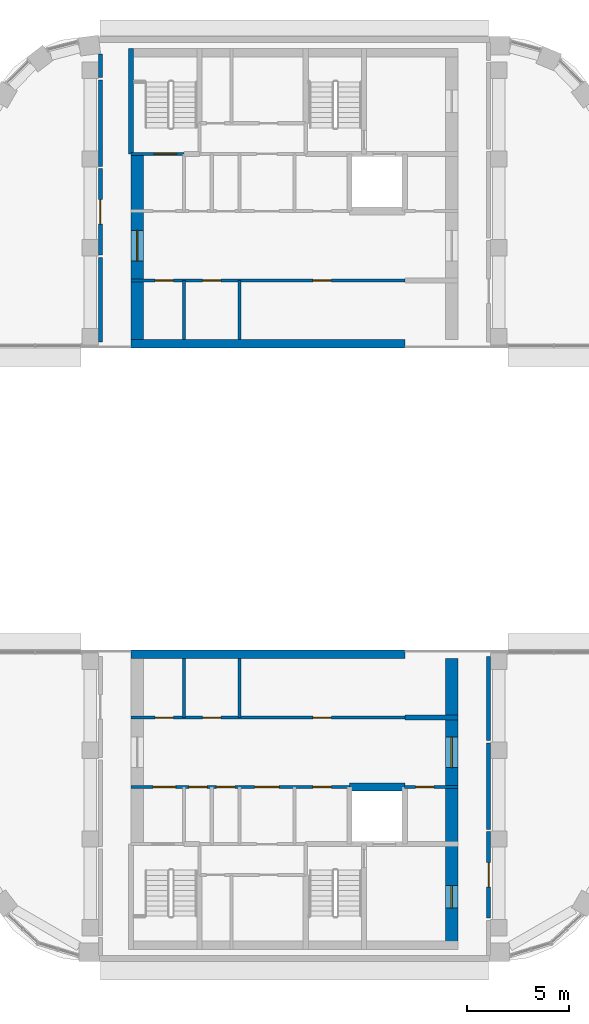
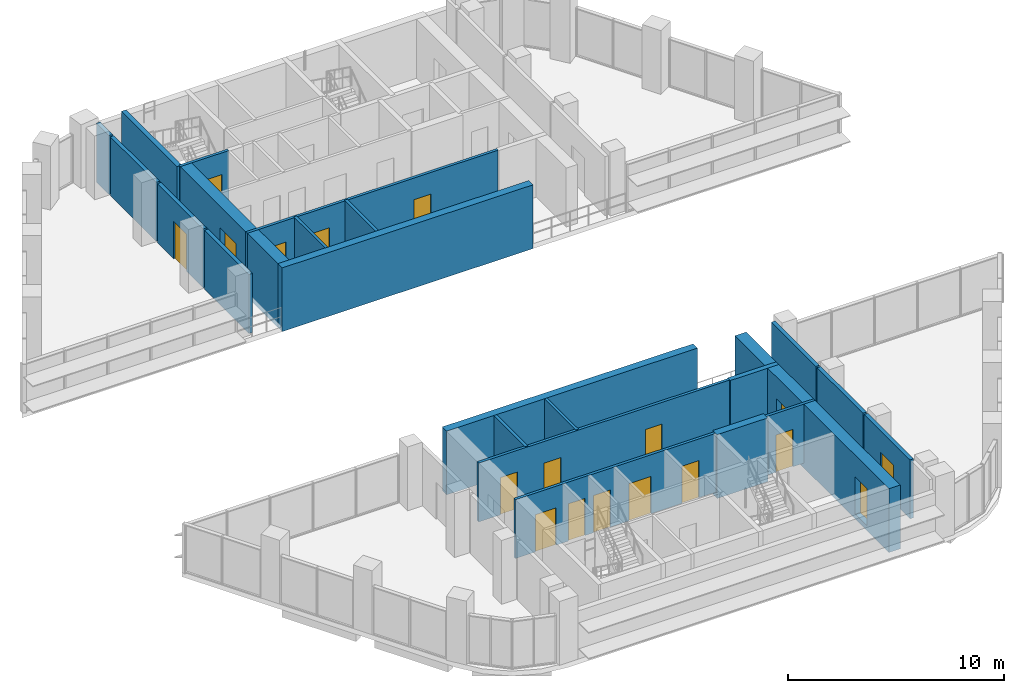
# One storey, part 10 of 15: 24 walls, 18 doors, 18 openings.
"""IFC4 building model written with IfcOpenShell, lengths in metres."""

from ifc_helpers import new_model, si_unit, direction, frame, frame_2d, origin, place, context, subcontext, project, spatial, rectangle, extrude, material, layer, layer_set, type_object, element, fill, save


model = new_model("IFC4")

# Units and contexts
model_context = context("Model", 3, precision=1e-05, world=origin(), true_north=direction((0.0, 1.0)))
body_context = subcontext(model_context, "Body", "Model", "MODEL_VIEW")
ifc_project = project(units=[si_unit("LENGTHUNIT", "METRE"), si_unit("AREAUNIT", "SQUARE_METRE"), si_unit("VOLUMEUNIT", "CUBIC_METRE"), si_unit("PLANEANGLEUNIT", "RADIAN"), si_unit("MASSUNIT", "GRAM", prefix="KILO")], contexts=[model_context])

# Site, building, storey
site_placement = place(None, origin())
site = spatial("IfcSite", under=ifc_project, at=site_placement, CompositionType="ELEMENT")
building_placement = place(site_placement, origin())
building = spatial("IfcBuilding", under=site, at=building_placement, Name="Nakaniwa Court", CompositionType="ELEMENT")
storey_placement = place(building_placement, frame((0.0, 0.0, 283.199951171875)))
storey = spatial("IfcBuildingStorey", under=building, at=storey_placement, Name="C04", CompositionType="ELEMENT", Elevation=283.199951171875)

# Wall, opening, door
ifc_material_1 = material(Name="Acoustic double stud partition")
ifc_layer_1 = layer(ifc_material_1, 0.199951171875)
ifc_layer_set_1 = layer_set([ifc_layer_1], Name="Acoustic double stud partition")
wall_type_1 = type_object("IfcWallType", Name="Acoustic double stud partition 200", PredefinedType="PARTITIONING", material=ifc_layer_set_1)
wall_1_placement = place(storey_placement, frame((89.5, 63.712890625, 0.0), z_axis=(0.0, 0.0, 1.0), x_axis=(0.0, -1.0, 0.0)))
wall_1 = element("IfcWall", 1, at=wall_1_placement, inside=storey, type_object=wall_type_1, Name="Partition PW-054", PredefinedType="PARTITIONING", context=body_context, shape_type="SweptSolid", body=[
    extrude(rectangle(XDim=4.23583984375, YDim=0.199951171875, at=frame_2d((2.117919921875, 0.0))), origin(), (0.0, 0.0, 1.0), 3.324951171875),
])
opening_1_placement = place(wall_1_placement, frame((1.51806640625, 0.0, 0.0)))
opening_1 = element("IfcOpeningElement", 2, at=opening_1_placement, cuts=wall_1, Name="Opening D-30-01", PredefinedType="OPENING", context=body_context, shape_type="SweptSolid", body=[
    extrude(rectangle(XDim=1.199951171875, YDim=2.10009765625, at=frame_2d((0.60009765625, 1.050048828125))), frame((0.0, 0.10986328125, 0.0), z_axis=(0.0, -1.0, 0.0), x_axis=(1.0, 0.0, 0.0)), (0.0, 0.0, 1.0), 0.219970703125),
])
ifc_material_2 = material(Name="Solid core timber door set, black veneer", Category="wood")
door_type_1 = type_object("IfcDoorType", Name="Internal door 1200", OperationType="NOTDEFINED", PredefinedType="DOOR", material=ifc_material_2)
door_1_placement = place(opening_1_placement, origin())
door_1 = element("IfcDoor", 3, at=door_1_placement, inside=storey, type_object=door_type_1, Name="Door D-30-01 C04-029", OperationType="SINGLE_SWING_RIGHT", OverallHeight=2.10009765625, OverallWidth=1.199951171875, PredefinedType="DOOR", context=body_context, shape_type="SweptSolid", body=[
    extrude(rectangle(XDim=1.199951171875, YDim=2.10009765625, at=frame_2d((0.60009765625, 1.050048828125))), frame((0.0, 0.02490234375, 0.0), z_axis=(0.0, -1.0, 0.0), x_axis=(1.0, 0.0, 0.0)), (0.0, 0.0, 1.0), 0.050048828125),
])
fill(opening_1, door_1)

# Walls
wall_2_placement = place(storey_placement, frame((89.5, 63.826904296875, 0.0), z_axis=(0.0, 0.0, 1.0), x_axis=(0.0, 1.0, 0.0)))
element("IfcWall", 4, at=wall_2_placement, inside=storey, type_object=wall_type_1, Name="Partition PW-055", PredefinedType="PARTITIONING", context=body_context, shape_type="SweptSolid", body=[
    extrude(rectangle(XDim=4.236083984375, YDim=0.199951171875, at=frame_2d((2.1181640625, 0.0))), origin(), (0.0, 0.0, 1.0), 3.324951171875),
])
for number, where, z_axis, x_axis, name in (
    (5, (89.5, 68.177001953125, 0.0), (0.0, 0.0, 1.0), (0.0, 1.0, 0.0), "Partition PW-056"),
    (6, (70.5, 87.699951171875, 0.0), (0.0, 0.0, 1.0), (0.0, 1.0, 0.0), "Partition PW-065"),
):
    element("IfcWall", number, at=place(storey_placement, frame(where, z_axis=z_axis, x_axis=x_axis)), inside=storey, type_object=wall_type_1, Name=name, PredefinedType="PARTITIONING", context=body_context, shape_type="SweptSolid", body=[
        extrude(rectangle(XDim=4.123046875, YDim=0.199951171875, at=frame_2d((2.0615234375, 0.0))), origin(), (0.0, 0.0, 1.0), 3.324951171875),
    ])

# Wall, opening, door
wall_3_placement = place(storey_placement, frame((70.5, 91.93701171875, 0.0), z_axis=(0.0, 0.0, 1.0), x_axis=(0.0, 1.0, 0.0)))
wall_3 = element("IfcWall", 7, at=wall_3_placement, inside=storey, type_object=wall_type_1, Name="Partition PW-066", PredefinedType="PARTITIONING", context=body_context, shape_type="SweptSolid", body=[
    extrude(rectangle(XDim=4.236083984375, YDim=0.199951171875, at=frame_2d((2.1181640625, 0.0))), origin(), (0.0, 0.0, 1.0), 3.324951171875),
])
opening_2_placement = place(wall_3_placement, frame((1.51806640625, 0.0, 0.0)))
opening_2 = element("IfcOpeningElement", 8, at=opening_2_placement, cuts=wall_3, Name="Opening D-30-04", PredefinedType="OPENING", context=body_context, shape_type="SweptSolid", body=[
    extrude(rectangle(XDim=1.199951171875, YDim=2.10009765625, at=frame_2d((0.60009765625, 1.050048828125))), frame((0.0, 0.10986328125, 0.0), z_axis=(0.0, -1.0, 0.0), x_axis=(1.0, 0.0, 0.0)), (0.0, 0.0, 1.0), 0.219970703125),
])
door_2_placement = place(opening_2_placement, origin())
door_2 = element("IfcDoor", 9, at=door_2_placement, inside=storey, type_object=door_type_1, Name="Door D-30-04 C04-032", OperationType="SINGLE_SWING_LEFT", OverallHeight=2.10009765625, OverallWidth=1.199951171875, PredefinedType="DOOR", context=body_context, shape_type="SweptSolid", body=[
    extrude(rectangle(XDim=1.199951171875, YDim=2.10009765625, at=frame_2d((0.60009765625, 1.050048828125))), frame((0.0, 0.02490234375, 0.0), z_axis=(0.0, -1.0, 0.0), x_axis=(1.0, 0.0, 0.0)), (0.0, 0.0, 1.0), 0.050048828125),
])
fill(opening_2, door_2)

# Walls
wall_4_placement = place(storey_placement, frame((70.5, 96.287109375, 0.0), z_axis=(0.0, 0.0, 1.0), x_axis=(0.0, 1.0, 0.0)))
element("IfcWall", 10, at=wall_4_placement, inside=storey, type_object=wall_type_1, Name="Partition PW-067", PredefinedType="PARTITIONING", context=body_context, shape_type="SweptSolid", body=[
    extrude(rectangle(XDim=4.23583984375, YDim=0.199951171875, at=frame_2d((2.117919921875, 0.0))), origin(), (0.0, 0.0, 1.0), 3.324951171875),
])
wall_5_placement = place(storey_placement, frame((70.5, 100.636962890625, 0.0), z_axis=(0.0, 0.0, 1.0), x_axis=(0.0, 1.0, 0.0)))
element("IfcWall", 11, at=wall_5_placement, inside=storey, type_object=wall_type_1, Name="Partition PW-068", PredefinedType="PARTITIONING", context=body_context, shape_type="SweptSolid", body=[
    extrude(rectangle(XDim=1.163818359375, YDim=0.199951171875, at=frame_2d((0.58203125, 0.0))), origin(), (0.0, 0.0, 1.0), 3.324951171875),
])
ifc_material_3 = material(Name="Blockwork partition", Category="masonry")
ifc_layer_2 = layer(ifc_material_3, 0.14990234375)
ifc_layer_set_2 = layer_set([ifc_layer_2], Name="Blockwork partition")
wall_type_2 = type_object("IfcWallType", Name="Blockwork partition 150", PredefinedType="PARTITIONING", material=ifc_layer_set_2)
wall_6_placement = place(storey_placement, frame((74.60009765625, 87.800048828125, 0.0), z_axis=(0.0, 0.0, 1.0), x_axis=(0.0, 1.0, 0.0)))
element("IfcWall", 12, at=wall_6_placement, inside=storey, type_object=wall_type_2, Name="Partition PW-001", PredefinedType="PARTITIONING", context=body_context, shape_type="SweptSolid", body=[
    extrude(rectangle(XDim=2.89990234375, YDim=0.14990234375, at=frame_2d((1.449951171875, 0.0))), origin(), (0.0, 0.0, 1.0), 3.324951171875),
])

# Wall, openings, doors
wall_7_placement = place(storey_placement, frame((85.39990234375, 90.699951171875, 0.0), z_axis=(0.0, 0.0, 1.0), x_axis=(-1.0, 0.0, 0.0)))
wall_7 = element("IfcWall", 13, at=wall_7_placement, inside=storey, type_object=wall_type_2, Name="Partition PW-003", PredefinedType="PARTITIONING", context=body_context, shape_type="SweptSolid", body=[
    extrude(rectangle(XDim=13.39990234375, YDim=0.14990234375, at=frame_2d((6.699951171875, 0.0))), origin(), (0.0, 0.0, 1.0), 3.324951171875),
])
opening_3_placement = place(wall_7_placement, frame((11.324951171875, 0.0, 0.0)))
opening_3 = element("IfcOpeningElement", 14, at=opening_3_placement, cuts=wall_7, Name="Opening D-05-01", PredefinedType="OPENING", context=body_context, shape_type="SweptSolid", body=[
    extrude(rectangle(XDim=0.89990234375, YDim=2.10009765625, at=frame_2d((0.449951171875, 1.050048828125))), frame((0.0, 0.0849609375, 0.0), z_axis=(0.0, -1.0, 0.0), x_axis=(1.0, 0.0, 0.0)), (0.0, 0.0, 1.0), 0.169921875),
])
opening_4_placement = place(wall_7_placement, frame((9.0, 0.0, 0.0)))
opening_4 = element("IfcOpeningElement", 15, at=opening_4_placement, cuts=wall_7, Name="Opening D-05-02", PredefinedType="OPENING", context=body_context, shape_type="SweptSolid", body=[
    extrude(rectangle(XDim=0.89990234375, YDim=2.10009765625, at=frame_2d((0.449951171875, 1.050048828125))), frame((0.0, 0.0849609375, 0.0), z_axis=(0.0, -1.0, 0.0), x_axis=(1.0, 0.0, 0.0)), (0.0, 0.0, 1.0), 0.169921875),
])
opening_5_placement = place(wall_7_placement, frame((3.60009765625, 0.0, 0.0)))
opening_5 = element("IfcOpeningElement", 16, at=opening_5_placement, cuts=wall_7, Name="Opening D-05-03", PredefinedType="OPENING", context=body_context, shape_type="SweptSolid", body=[
    extrude(rectangle(XDim=0.89990234375, YDim=2.10009765625, at=frame_2d((0.449951171875, 1.050048828125))), frame((0.0, 0.0849609375, 0.0), z_axis=(0.0, -1.0, 0.0), x_axis=(1.0, 0.0, 0.0)), (0.0, 0.0, 1.0), 0.169921875),
])
ifc_material_4 = material(Name="Fire rated steel door set", Category="steel")
door_type_2 = type_object("IfcDoorType", Name="Service room door 900", OperationType="NOTDEFINED", PredefinedType="DOOR", material=ifc_material_4)
door_3_placement = place(opening_3_placement, origin())
door_3 = element("IfcDoor", 17, at=door_3_placement, inside=storey, type_object=door_type_2, Name="Door D-05-01 C04-001", OperationType="SINGLE_SWING_RIGHT", OverallHeight=2.10009765625, OverallWidth=0.89990234375, PredefinedType="DOOR", context=body_context, shape_type="SweptSolid", body=[
    extrude(rectangle(XDim=0.89990234375, YDim=2.10009765625, at=frame_2d((0.449951171875, 1.050048828125))), frame((0.0, 0.02490234375, 0.0), z_axis=(0.0, -1.0, 0.0), x_axis=(1.0, 0.0, 0.0)), (0.0, 0.0, 1.0), 0.050048828125),
])
fill(opening_3, door_3)
door_4_placement = place(opening_4_placement, origin())
door_4 = element("IfcDoor", 18, at=door_4_placement, inside=storey, type_object=door_type_2, Name="Door D-05-02 C04-002", OperationType="SINGLE_SWING_LEFT", OverallHeight=2.10009765625, OverallWidth=0.89990234375, PredefinedType="DOOR", context=body_context, shape_type="SweptSolid", body=[
    extrude(rectangle(XDim=0.89990234375, YDim=2.10009765625, at=frame_2d((0.449951171875, 1.050048828125))), frame((0.0, 0.02490234375, 0.0), z_axis=(0.0, -1.0, 0.0), x_axis=(1.0, 0.0, 0.0)), (0.0, 0.0, 1.0), 0.050048828125),
])
fill(opening_4, door_4)
door_5_placement = place(opening_5_placement, origin())
door_5 = element("IfcDoor", 19, at=door_5_placement, inside=storey, type_object=door_type_2, Name="Door D-05-03 C04-003", OperationType="SINGLE_SWING_RIGHT", OverallHeight=2.10009765625, OverallWidth=0.89990234375, PredefinedType="DOOR", context=body_context, shape_type="SweptSolid", body=[
    extrude(rectangle(XDim=0.89990234375, YDim=2.10009765625, at=frame_2d((0.449951171875, 1.050048828125))), frame((0.0, 0.02490234375, 0.0), z_axis=(0.0, -1.0, 0.0), x_axis=(1.0, 0.0, 0.0)), (0.0, 0.0, 1.0), 0.050048828125),
])
fill(opening_5, door_5)

# Walls
for number, where, z_axis, x_axis, name in (
    (20, (77.300048828125, 87.800048828125, 0.0), (0.0, 0.0, 1.0), (0.0, 1.0, 0.0), "Partition PW-005"),
    (21, (74.60009765625, 69.300048828125, 0.0), (0.0, 0.0, 1.0), (0.0, 1.0, 0.0), "Partition PW-028"),
):
    element("IfcWall", number, at=place(storey_placement, frame(where, z_axis=z_axis, x_axis=x_axis)), inside=storey, type_object=wall_type_2, Name=name, PredefinedType="PARTITIONING", context=body_context, shape_type="SweptSolid", body=[
        extrude(rectangle(XDim=2.89990234375, YDim=0.14990234375, at=frame_2d((1.449951171875, 0.0))), origin(), (0.0, 0.0, 1.0), 3.324951171875),
    ])

# Wall, openings, doors
wall_8_placement = place(storey_placement, frame((72.0, 69.300048828125, 0.0), z_axis=(0.0, 0.0, 1.0), x_axis=(1.0, 0.0, 0.0)))
wall_8 = element("IfcWall", 22, at=wall_8_placement, inside=storey, type_object=wall_type_2, Name="Partition PW-029", PredefinedType="PARTITIONING", context=body_context, shape_type="SweptSolid", body=[
    extrude(rectangle(XDim=13.39990234375, YDim=0.14990234375, at=frame_2d((6.699951171875, 0.0))), origin(), (0.0, 0.0, 1.0), 3.324951171875),
])
opening_6_placement = place(wall_8_placement, frame((1.175048828125, 0.0, 0.0)))
opening_6 = element("IfcOpeningElement", 23, at=opening_6_placement, cuts=wall_8, Name="Opening D-05-10", PredefinedType="OPENING", context=body_context, shape_type="SweptSolid", body=[
    extrude(rectangle(XDim=0.89990234375, YDim=2.10009765625, at=frame_2d((0.449951171875, 1.050048828125))), frame((0.0, 0.0849609375, 0.0), z_axis=(0.0, -1.0, 0.0), x_axis=(1.0, 0.0, 0.0)), (0.0, 0.0, 1.0), 0.169921875),
])
opening_7_placement = place(wall_8_placement, frame((3.5, 0.0, 0.0)))
opening_7 = element("IfcOpeningElement", 24, at=opening_7_placement, cuts=wall_8, Name="Opening D-05-11", PredefinedType="OPENING", context=body_context, shape_type="SweptSolid", body=[
    extrude(rectangle(XDim=0.89990234375, YDim=2.10009765625, at=frame_2d((0.449951171875, 1.050048828125))), frame((0.0, 0.0849609375, 0.0), z_axis=(0.0, -1.0, 0.0), x_axis=(1.0, 0.0, 0.0)), (0.0, 0.0, 1.0), 0.169921875),
])
opening_8_placement = place(wall_8_placement, frame((8.89990234375, 0.0, 0.0)))
opening_8 = element("IfcOpeningElement", 25, at=opening_8_placement, cuts=wall_8, Name="Opening D-05-12", PredefinedType="OPENING", context=body_context, shape_type="SweptSolid", body=[
    extrude(rectangle(XDim=0.89990234375, YDim=2.10009765625, at=frame_2d((0.449951171875, 1.050048828125))), frame((0.0, 0.0849609375, 0.0), z_axis=(0.0, -1.0, 0.0), x_axis=(1.0, 0.0, 0.0)), (0.0, 0.0, 1.0), 0.169921875),
])
door_6_placement = place(opening_6_placement, origin())
door_6 = element("IfcDoor", 26, at=door_6_placement, inside=storey, type_object=door_type_2, Name="Door D-05-10 C04-015", OperationType="SINGLE_SWING_RIGHT", OverallHeight=2.10009765625, OverallWidth=0.89990234375, PredefinedType="DOOR", context=body_context, shape_type="SweptSolid", body=[
    extrude(rectangle(XDim=0.89990234375, YDim=2.10009765625, at=frame_2d((0.449951171875, 1.050048828125))), frame((0.0, 0.02490234375, 0.0), z_axis=(0.0, -1.0, 0.0), x_axis=(1.0, 0.0, 0.0)), (0.0, 0.0, 1.0), 0.050048828125),
])
fill(opening_6, door_6)
door_7_placement = place(opening_7_placement, origin())
door_7 = element("IfcDoor", 27, at=door_7_placement, inside=storey, type_object=door_type_2, Name="Door D-05-11 C04-016", OperationType="SINGLE_SWING_LEFT", OverallHeight=2.10009765625, OverallWidth=0.89990234375, PredefinedType="DOOR", context=body_context, shape_type="SweptSolid", body=[
    extrude(rectangle(XDim=0.89990234375, YDim=2.10009765625, at=frame_2d((0.449951171875, 1.050048828125))), frame((0.0, 0.02490234375, 0.0), z_axis=(0.0, -1.0, 0.0), x_axis=(1.0, 0.0, 0.0)), (0.0, 0.0, 1.0), 0.050048828125),
])
fill(opening_7, door_7)
door_8_placement = place(opening_8_placement, origin())
door_8 = element("IfcDoor", 28, at=door_8_placement, inside=storey, type_object=door_type_2, Name="Door D-05-12 C04-017", OperationType="SINGLE_SWING_RIGHT", OverallHeight=2.10009765625, OverallWidth=0.89990234375, PredefinedType="DOOR", context=body_context, shape_type="SweptSolid", body=[
    extrude(rectangle(XDim=0.89990234375, YDim=2.10009765625, at=frame_2d((0.449951171875, 1.050048828125))), frame((0.0, 0.02490234375, 0.0), z_axis=(0.0, -1.0, 0.0), x_axis=(1.0, 0.0, 0.0)), (0.0, 0.0, 1.0), 0.050048828125),
])
fill(opening_8, door_8)

# Wall
wall_9_placement = place(storey_placement, frame((77.300048828125, 69.300048828125, 0.0), z_axis=(0.0, 0.0, 1.0), x_axis=(0.0, 1.0, 0.0)))
element("IfcWall", 29, at=wall_9_placement, inside=storey, type_object=wall_type_2, Name="Partition PW-032", PredefinedType="PARTITIONING", context=body_context, shape_type="SweptSolid", body=[
    extrude(rectangle(XDim=2.89990234375, YDim=0.14990234375, at=frame_2d((1.449951171875, 0.0))), origin(), (0.0, 0.0, 1.0), 3.324951171875),
])

# Wall, openings, doors
wall_10_placement = place(storey_placement, frame((82.702880859375, 65.89990234375, 0.0), z_axis=(0.0, 0.0, 1.0), x_axis=(-1.0, 0.0, 0.0)))
wall_10 = element("IfcWall", 30, at=wall_10_placement, inside=storey, type_object=wall_type_2, Name="Partition PW-033", PredefinedType="PARTITIONING", context=body_context, shape_type="SweptSolid", body=[
    extrude(rectangle(XDim=10.702880859375, YDim=0.14990234375, at=frame_2d((5.3515625, 0.0))), origin(), (0.0, 0.0, 1.0), 3.324951171875),
])
opening_9_placement = place(wall_10_placement, frame((8.528076171875, 0.0, 0.0)))
opening_9 = element("IfcOpeningElement", 31, at=opening_9_placement, cuts=wall_10, Name="Opening D-08-02", PredefinedType="OPENING", context=body_context, shape_type="SweptSolid", body=[
    extrude(rectangle(XDim=1.10009765625, YDim=2.10009765625, at=frame_2d((0.550048828125, 1.050048828125))), frame((0.0, 0.0849609375, 0.0), z_axis=(0.0, -1.0, 0.0), x_axis=(1.0, 0.0, 0.0)), (0.0, 0.0, 1.0), 0.169921875),
])
opening_10_placement = place(wall_10_placement, frame((6.97802734375, 0.0, 0.0)))
opening_10 = element("IfcOpeningElement", 32, at=opening_10_placement, cuts=wall_10, Name="Opening D-05-13", PredefinedType="OPENING", context=body_context, shape_type="SweptSolid", body=[
    extrude(rectangle(XDim=0.89990234375, YDim=2.10009765625, at=frame_2d((0.449951171875, 1.050048828125))), frame((0.0, 0.0849609375, 0.0), z_axis=(0.0, -1.0, 0.0), x_axis=(1.0, 0.0, 0.0)), (0.0, 0.0, 1.0), 0.169921875),
])
opening_11_placement = place(wall_10_placement, frame((5.6279296875, 0.0, 0.0)))
opening_11 = element("IfcOpeningElement", 33, at=opening_11_placement, cuts=wall_10, Name="Opening D-05-14", PredefinedType="OPENING", context=body_context, shape_type="SweptSolid", body=[
    extrude(rectangle(XDim=0.89990234375, YDim=2.10009765625, at=frame_2d((0.449951171875, 1.050048828125))), frame((0.0, 0.0849609375, 0.0), z_axis=(0.0, -1.0, 0.0), x_axis=(1.0, 0.0, 0.0)), (0.0, 0.0, 1.0), 0.169921875),
])
opening_12_placement = place(wall_10_placement, frame((3.452880859375, 0.0, 0.0)))
opening_12 = element("IfcOpeningElement", 34, at=opening_12_placement, cuts=wall_10, Name="Opening D-06-02", PredefinedType="OPENING", context=body_context, shape_type="SweptSolid", body=[
    extrude(rectangle(XDim=1.199951171875, YDim=2.10009765625, at=frame_2d((0.60009765625, 1.050048828125))), frame((0.0, 0.0849609375, 0.0), z_axis=(0.0, -1.0, 0.0), x_axis=(1.0, 0.0, 0.0)), (0.0, 0.0, 1.0), 0.169921875),
])
opening_13_placement = place(wall_10_placement, frame((0.903076171875, 0.0, 0.0)))
opening_13 = element("IfcOpeningElement", 35, at=opening_13_placement, cuts=wall_10, Name="Opening D-05-15", PredefinedType="OPENING", context=body_context, shape_type="SweptSolid", body=[
    extrude(rectangle(XDim=0.89990234375, YDim=2.10009765625, at=frame_2d((0.449951171875, 1.050048828125))), frame((0.0, 0.0849609375, 0.0), z_axis=(0.0, -1.0, 0.0), x_axis=(1.0, 0.0, 0.0)), (0.0, 0.0, 1.0), 0.169921875),
])
ifc_material_5 = material(Name="Fire rated steel double door set", Category="steel")
door_type_3 = type_object("IfcDoorType", Name="Service passage double door 1200", OperationType="NOTDEFINED", PredefinedType="DOOR", material=ifc_material_5)
door_9_placement = place(opening_12_placement, origin())
door_9 = element("IfcDoor", 36, at=door_9_placement, inside=storey, type_object=door_type_3, Name="Door D-06-02 C04-021", OperationType="DOUBLE_DOOR_SINGLE_SWING", OverallHeight=2.10009765625, OverallWidth=1.199951171875, PredefinedType="DOOR", context=body_context, shape_type="SweptSolid", body=[
    extrude(rectangle(XDim=1.199951171875, YDim=2.10009765625, at=frame_2d((0.60009765625, 1.050048828125))), frame((0.0, 0.02490234375, 0.0), z_axis=(0.0, -1.0, 0.0), x_axis=(1.0, 0.0, 0.0)), (0.0, 0.0, 1.0), 0.050048828125),
])
fill(opening_12, door_9)
door_10_placement = place(opening_10_placement, origin())
door_10 = element("IfcDoor", 37, at=door_10_placement, inside=storey, type_object=door_type_2, Name="Door D-05-13 C04-019", OperationType="SINGLE_SWING_RIGHT", OverallHeight=2.10009765625, OverallWidth=0.89990234375, PredefinedType="DOOR", context=body_context, shape_type="SweptSolid", body=[
    extrude(rectangle(XDim=0.89990234375, YDim=2.10009765625, at=frame_2d((0.449951171875, 1.050048828125))), frame((0.0, 0.02490234375, 0.0), z_axis=(0.0, -1.0, 0.0), x_axis=(1.0, 0.0, 0.0)), (0.0, 0.0, 1.0), 0.050048828125),
])
fill(opening_10, door_10)
door_11_placement = place(opening_11_placement, origin())
door_11 = element("IfcDoor", 38, at=door_11_placement, inside=storey, type_object=door_type_2, Name="Door D-05-14 C04-020", OperationType="SINGLE_SWING_LEFT", OverallHeight=2.10009765625, OverallWidth=0.89990234375, PredefinedType="DOOR", context=body_context, shape_type="SweptSolid", body=[
    extrude(rectangle(XDim=0.89990234375, YDim=2.10009765625, at=frame_2d((0.449951171875, 1.050048828125))), frame((0.0, 0.02490234375, 0.0), z_axis=(0.0, -1.0, 0.0), x_axis=(1.0, 0.0, 0.0)), (0.0, 0.0, 1.0), 0.050048828125),
])
fill(opening_11, door_11)
door_12_placement = place(opening_13_placement, origin())
door_12 = element("IfcDoor", 39, at=door_12_placement, inside=storey, type_object=door_type_2, Name="Door D-05-15 C04-022", OperationType="SINGLE_SWING_LEFT", OverallHeight=2.10009765625, OverallWidth=0.89990234375, PredefinedType="DOOR", context=body_context, shape_type="SweptSolid", body=[
    extrude(rectangle(XDim=0.89990234375, YDim=2.10009765625, at=frame_2d((0.449951171875, 1.050048828125))), frame((0.0, 0.02490234375, 0.0), z_axis=(0.0, -1.0, 0.0), x_axis=(1.0, 0.0, 0.0)), (0.0, 0.0, 1.0), 0.050048828125),
])
fill(opening_13, door_12)
door_type_4 = type_object("IfcDoorType", Name="Stair lobby door 1100", OperationType="NOTDEFINED", PredefinedType="DOOR", material=ifc_material_4)
door_13_placement = place(opening_9_placement, origin())
door_13 = element("IfcDoor", 40, at=door_13_placement, inside=storey, type_object=door_type_4, Name="Door D-08-02 C04-018", OperationType="SINGLE_SWING_LEFT", OverallHeight=2.10009765625, OverallWidth=1.10009765625, PredefinedType="DOOR", context=body_context, shape_type="SweptSolid", body=[
    extrude(rectangle(XDim=1.10009765625, YDim=2.10009765625, at=frame_2d((0.550048828125, 1.050048828125))), frame((0.0, 0.02490234375, 0.0), z_axis=(0.0, -1.0, 0.0), x_axis=(1.0, 0.0, 0.0)), (0.0, 0.0, 1.0), 0.050048828125),
])
fill(opening_9, door_13)

# Wall, opening, door
wall_11_placement = place(storey_placement, frame((88.0, 65.89990234375, 0.0), z_axis=(0.0, 0.0, 1.0), x_axis=(-1.0, 0.0, 0.0)))
wall_11 = element("IfcWall", 41, at=wall_11_placement, inside=storey, type_object=wall_type_2, Name="Partition PW-034", PredefinedType="PARTITIONING", context=body_context, shape_type="SweptSolid", body=[
    extrude(rectangle(XDim=2.60302734375, YDim=0.14990234375, at=frame_2d((1.301513671875, 0.0))), origin(), (0.0, 0.0, 1.0), 3.324951171875),
])
opening_14_placement = place(wall_11_placement, frame((1.175048828125, 0.0, 0.0)))
opening_14 = element("IfcOpeningElement", 42, at=opening_14_placement, cuts=wall_11, Name="Opening D-05-16", PredefinedType="OPENING", context=body_context, shape_type="SweptSolid", body=[
    extrude(rectangle(XDim=0.89990234375, YDim=2.10009765625, at=frame_2d((0.449951171875, 1.050048828125))), frame((0.0, 0.0849609375, 0.0), z_axis=(0.0, -1.0, 0.0), x_axis=(1.0, 0.0, 0.0)), (0.0, 0.0, 1.0), 0.169921875),
])
door_14_placement = place(opening_14_placement, origin())
door_14 = element("IfcDoor", 43, at=door_14_placement, inside=storey, type_object=door_type_2, Name="Door D-05-16 C04-023", OperationType="SINGLE_SWING_RIGHT", OverallHeight=2.10009765625, OverallWidth=0.89990234375, PredefinedType="DOOR", context=body_context, shape_type="SweptSolid", body=[
    extrude(rectangle(XDim=0.89990234375, YDim=2.10009765625, at=frame_2d((0.449951171875, 1.050048828125))), frame((0.0, 0.02490234375, 0.0), z_axis=(0.0, -1.0, 0.0), x_axis=(1.0, 0.0, 0.0)), (0.0, 0.0, 1.0), 0.050048828125),
])
fill(opening_14, door_14)

ifc_material_6 = material(Name="Concrete C80/100", Category="concrete")
ifc_layer_3 = layer(ifc_material_6, 0.60009765625)
ifc_layer_set_3 = layer_set([ifc_layer_3], Name="Concrete C80/100")
wall_type_3 = type_object("IfcWallType", Name="Concrete core side wall 600 C80", PredefinedType="SHEAR", material=ifc_layer_set_3)
wall_12_placement = place(storey_placement, frame((72.300048828125, 87.800048828125, -0.27490234375), z_axis=(0.0, 0.0, 1.0), x_axis=(0.0, 1.0, 0.0)))
wall_12 = element("IfcWall", 44, at=wall_12_placement, inside=storey, type_object=wall_type_3, Name="Core wall SW-04", PredefinedType="SHEAR", context=body_context, shape_type="SweptSolid", body=[
    extrude(rectangle(XDim=9.099853515625, YDim=0.60009765625, at=frame_2d((4.5498046875, 0.0))), origin(), (0.0, 0.0, 1.0), 3.599853515625),
])
opening_15_placement = place(wall_12_placement, frame((3.85009765625, 0.0, 0.27490234375)))
opening_15 = element("IfcOpeningElement", 45, at=opening_15_placement, cuts=wall_12, Name="Opening D-07-02", PredefinedType="OPENING", context=body_context, shape_type="SweptSolid", body=[
    extrude(rectangle(XDim=1.5, YDim=2.10009765625, at=frame_2d((0.75, 1.050048828125))), frame((0.0, 0.31005859375, 0.0), z_axis=(0.0, -1.0, 0.0), x_axis=(1.0, 0.0, 0.0)), (0.0, 0.0, 1.0), 0.6201171875),
])
ifc_material_7 = material(Name="Glazed fire rated steel double door set", Category="steel")
door_type_5 = type_object("IfcDoorType", Name="Lobby double door 1500", OperationType="NOTDEFINED", PredefinedType="DOOR", material=ifc_material_7)
door_15_placement = place(opening_15_placement, origin())
door_15 = element("IfcDoor", 46, at=door_15_placement, inside=storey, type_object=door_type_5, Name="Door D-07-02 C04-034", OperationType="DOUBLE_DOOR_SINGLE_SWING", OverallHeight=2.10009765625, OverallWidth=1.5, PredefinedType="DOOR", context=body_context, shape_type="SweptSolid", body=[
    extrude(rectangle(XDim=1.5, YDim=2.10009765625, at=frame_2d((0.75, 1.050048828125))), frame((0.0, 0.02490234375, 0.0), z_axis=(0.0, -1.0, 0.0), x_axis=(1.0, 0.0, 0.0)), (0.0, 0.0, 1.0), 0.050048828125),
])
fill(opening_15, door_15)

# Wall, openings, doors
wall_13_placement = place(storey_placement, frame((87.699951171875, 69.300048828125, -0.27490234375), z_axis=(0.0, 0.0, 1.0), x_axis=(0.0, -1.0, 0.0)))
wall_13 = element("IfcWall", 47, at=wall_13_placement, inside=storey, type_object=wall_type_3, Name="Core wall SW-36", PredefinedType="SHEAR", context=body_context, shape_type="SweptSolid", body=[
    extrude(rectangle(XDim=11.35009765625, YDim=0.60009765625, at=frame_2d((5.675048828125, 0.0))), origin(), (0.0, 0.0, 1.0), 3.599853515625),
])
opening_16_placement = place(wall_13_placement, frame((0.949951171875, 0.0, 0.27490234375)))
opening_16 = element("IfcOpeningElement", 48, at=opening_16_placement, cuts=wall_13, Name="Opening D-07-03", PredefinedType="OPENING", context=body_context, shape_type="SweptSolid", body=[
    extrude(rectangle(XDim=1.5, YDim=2.10009765625, at=frame_2d((0.75, 1.050048828125))), frame((0.0, 0.31005859375, 0.0), z_axis=(0.0, -1.0, 0.0), x_axis=(1.0, 0.0, 0.0)), (0.0, 0.0, 1.0), 0.6201171875),
])
opening_17_placement = place(wall_13_placement, frame((8.22509765625, 0.0, 0.27490234375)))
opening_17 = element("IfcOpeningElement", 49, at=opening_17_placement, cuts=wall_13, Name="Opening D-10-02", PredefinedType="OPENING", context=body_context, shape_type="SweptSolid", body=[
    extrude(rectangle(XDim=1.10009765625, YDim=2.10009765625, at=frame_2d((0.550048828125, 1.050048828125))), frame((0.0, 0.31005859375, 0.0), z_axis=(0.0, -1.0, 0.0), x_axis=(1.0, 0.0, 0.0)), (0.0, 0.0, 1.0), 0.6201171875),
])
door_type_6 = type_object("IfcDoorType", Name="Firefighting lobby door 1100", OperationType="NOTDEFINED", PredefinedType="DOOR", material=ifc_material_4)
door_16_placement = place(opening_17_placement, origin())
door_16 = element("IfcDoor", 50, at=door_16_placement, inside=storey, type_object=door_type_6, Name="Door D-10-02 C04-038", OperationType="SINGLE_SWING_LEFT", OverallHeight=2.10009765625, OverallWidth=1.10009765625, PredefinedType="DOOR", context=body_context, shape_type="SweptSolid", body=[
    extrude(rectangle(XDim=1.10009765625, YDim=2.10009765625, at=frame_2d((0.550048828125, 1.050048828125))), frame((0.0, 0.02490234375, 0.0), z_axis=(0.0, -1.0, 0.0), x_axis=(1.0, 0.0, 0.0)), (0.0, 0.0, 1.0), 0.050048828125),
])
fill(opening_17, door_16)
door_17_placement = place(opening_16_placement, origin())
door_17 = element("IfcDoor", 51, at=door_17_placement, inside=storey, type_object=door_type_5, Name="Door D-07-03 C04-036", OperationType="DOUBLE_DOOR_SINGLE_SWING", OverallHeight=2.10009765625, OverallWidth=1.5, PredefinedType="DOOR", context=body_context, shape_type="SweptSolid", body=[
    extrude(rectangle(XDim=1.5, YDim=2.10009765625, at=frame_2d((0.75, 1.050048828125))), frame((0.0, 0.02490234375, 0.0), z_axis=(0.0, -1.0, 0.0), x_axis=(1.0, 0.0, 0.0)), (0.0, 0.0, 1.0), 0.050048828125),
])
fill(opening_16, door_17)

# Walls
wall_14_placement = place(storey_placement, frame((87.699951171875, 69.303955078125, -0.27490234375), z_axis=(0.0, 0.0, 1.0), x_axis=(0.0, 1.0, 0.0)))
element("IfcWall", 52, at=wall_14_placement, inside=storey, type_object=wall_type_3, Name="Core wall SW-74", PredefinedType="SHEAR", context=body_context, shape_type="SweptSolid", body=[
    extrude(rectangle(XDim=2.89599609375, YDim=0.60009765625, at=frame_2d((1.447998046875, 0.0))), origin(), (0.0, 0.0, 1.0), 3.599853515625),
])
ifc_layer_4 = layer(ifc_material_6, 0.39990234375)
ifc_layer_set_4 = layer_set([ifc_layer_4], Name="Concrete C80/100")
wall_type_4 = type_object("IfcWallType", Name="Concrete core spine wall 400 C80", PredefinedType="SHEAR", material=ifc_layer_set_4)
wall_15_placement = place(storey_placement, frame((82.697021484375, 65.89990234375, -0.27490234375), z_axis=(0.0, 0.0, 1.0), x_axis=(1.0, 0.0, 0.0)))
element("IfcWall", 53, at=wall_15_placement, inside=storey, type_object=wall_type_4, Name="Core wall SW-35", PredefinedType="SHEAR", context=body_context, shape_type="SweptSolid", body=[
    extrude(rectangle(XDim=2.7060546875, YDim=0.39990234375, at=frame_2d((1.35302734375, 0.0))), origin(), (0.0, 0.0, 1.0), 3.599853515625),
])

# Wall, opening, door
ifc_layer_5 = layer(ifc_material_6, 0.14990234375)
ifc_layer_set_5 = layer_set([ifc_layer_5], Name="Concrete C80/100")
wall_type_5 = type_object("IfcWallType", Name="Concrete core wall 150 C80", PredefinedType="SHEAR", material=ifc_layer_set_5)
wall_16_placement = place(storey_placement, frame((74.60009765625, 96.89990234375, -0.27490234375), z_axis=(0.0, 0.0, 1.0), x_axis=(-1.0, 0.0, 0.0)))
wall_16 = element("IfcWall", 54, at=wall_16_placement, inside=storey, type_object=wall_type_5, Name="Core wall SW-11", PredefinedType="SHEAR", context=body_context, shape_type="SweptSolid", body=[
    extrude(rectangle(XDim=2.60009765625, YDim=0.14990234375, at=frame_2d((1.300048828125, 0.0))), origin(), (0.0, 0.0, 1.0), 3.599853515625),
])
opening_18_placement = place(wall_16_placement, frame((0.3701171875, 0.0, 0.27490234375)))
opening_18 = element("IfcOpeningElement", 55, at=opening_18_placement, cuts=wall_16, Name="Opening D-09-01", PredefinedType="OPENING", context=body_context, shape_type="SweptSolid", body=[
    extrude(rectangle(XDim=1.10009765625, YDim=2.10009765625, at=frame_2d((0.550048828125, 1.050048828125))), frame((0.0, 0.0849609375, 0.0), z_axis=(0.0, -1.0, 0.0), x_axis=(1.0, 0.0, 0.0)), (0.0, 0.0, 1.0), 0.169921875),
])
door_type_7 = type_object("IfcDoorType", Name="Stair door 1100", OperationType="NOTDEFINED", PredefinedType="DOOR", material=ifc_material_4)
door_18_placement = place(opening_18_placement, origin())
door_18 = element("IfcDoor", 56, at=door_18_placement, inside=storey, type_object=door_type_7, Name="Door D-09-01 C04-013", OperationType="SINGLE_SWING_LEFT", OverallHeight=2.10009765625, OverallWidth=1.10009765625, PredefinedType="DOOR", context=body_context, shape_type="SweptSolid", body=[
    extrude(rectangle(XDim=1.10009765625, YDim=2.10009765625, at=frame_2d((0.550048828125, 1.050048828125))), frame((0.0, 0.02490234375, 0.0), z_axis=(0.0, -1.0, 0.0), x_axis=(1.0, 0.0, 0.0)), (0.0, 0.0, 1.0), 0.050048828125),
])
fill(opening_18, door_18)

# Walls
ifc_layer_6 = layer(ifc_material_6, 0.25)
ifc_layer_set_6 = layer_set([ifc_layer_6], Name="Concrete C80/100")
wall_type_6 = type_object("IfcWallType", Name="Concrete core wall 250 C80", PredefinedType="SHEAR", material=ifc_layer_set_6)
wall_17_placement = place(storey_placement, frame((72.0, 96.89990234375, -0.27490234375), z_axis=(0.0, 0.0, 1.0), x_axis=(0.0, 1.0, 0.0)))
element("IfcWall", 57, at=wall_17_placement, inside=storey, type_object=wall_type_6, Name="Core wall SW-21", PredefinedType="SHEAR", context=body_context, shape_type="SweptSolid", body=[
    extrude(rectangle(XDim=5.150146484375, YDim=0.25, at=frame_2d((2.5751953125, 0.0))), origin(), (0.0, 0.0, 1.0), 3.599853515625),
])
ifc_layer_7 = layer(ifc_material_6, 0.39990234375)
ifc_layer_set_7 = layer_set([ifc_layer_7], Name="Concrete C80/100")
wall_type_7 = type_object("IfcWallType", Name="Concrete core well wall 400 C80", PredefinedType="SHEAR", material=ifc_layer_set_7)
for number, where, z_axis, x_axis, name in (
    (58, (72.00390625, 87.60009765625, -0.27490234375), (0.0, 0.0, 1.0), (1.0, 0.0, 0.0), "Core wall SW-69"),
    (59, (72.00390625, 72.39990234375, -0.27490234375), (0.0, 0.0, 1.0), (1.0, 0.0, 0.0), "Core wall SW-73"),
):
    element("IfcWall", number, at=place(storey_placement, frame(where, z_axis=z_axis, x_axis=x_axis)), inside=storey, type_object=wall_type_7, Name=name, PredefinedType="SHEAR", context=body_context, shape_type="SweptSolid", body=[
        extrude(rectangle(XDim=13.39599609375, YDim=0.39990234375, at=frame_2d((6.697998046875, 0.0))), origin(), (0.0, 0.0, 1.0), 3.599853515625),
    ])
ifc_layer_8 = layer(ifc_material_6, 0.25)
ifc_layer_set_8 = layer_set([ifc_layer_8], Name="Concrete C80/100")
wall_type_8 = type_object("IfcWallType", Name="Concrete shaft wall 250 C80", PredefinedType="SHEAR", material=ifc_layer_set_8)
wall_18_placement = place(storey_placement, frame((85.404052734375, 69.300048828125, -0.27490234375), z_axis=(0.0, 0.0, 1.0), x_axis=(1.0, 0.0, 0.0)))
element("IfcWall", 60, at=wall_18_placement, inside=storey, type_object=wall_type_8, Name="Core wall SW-75", PredefinedType="SHEAR", context=body_context, shape_type="SweptSolid", body=[
    extrude(rectangle(XDim=2.592041015625, YDim=0.25, at=frame_2d((1.2958984375, 0.0))), origin(), (0.0, 0.0, 1.0), 3.599853515625),
])

save(model, "model.ifc")
